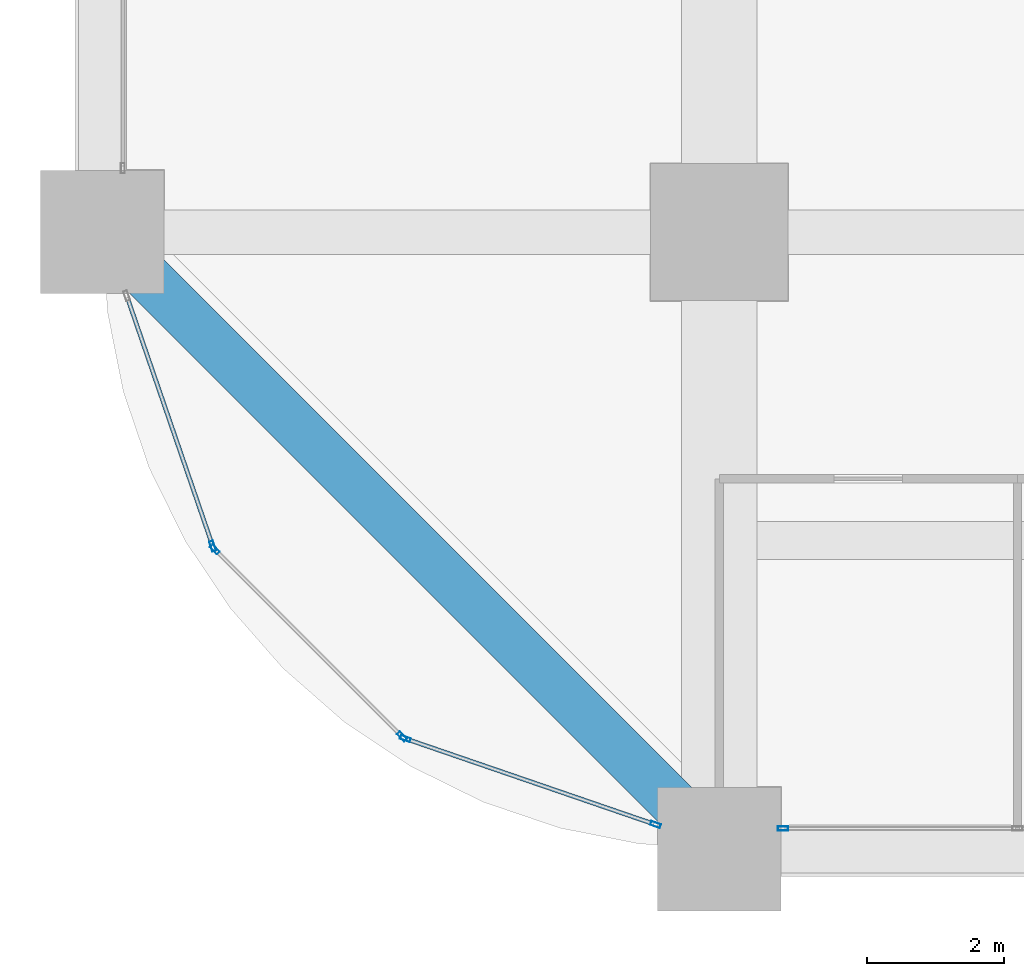
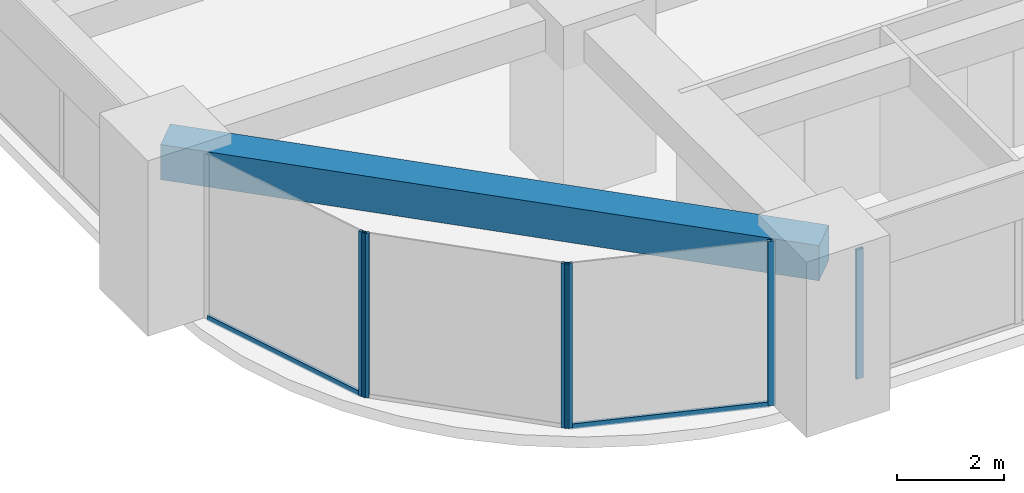
# One storey, part 2 of 41: 8 members, 1 beam, 4 elements without a shape of their own.
"""IFC4 building model written with IfcOpenShell, lengths in metres."""

from ifc_helpers import new_model, si_unit, direction, frame, origin, origin_2d, place, context, subcontext, project, spatial, rectangle, hollow_rectangle, extrude, material, material_profile, profile_set, type_object, element, aggregate, save


model = new_model("IFC4")

# Units and contexts
model_context = context("Model", 3, precision=1e-05, world=origin(), true_north=direction((0.0, 1.0)))
body_context = subcontext(model_context, "Body", "Model", "MODEL_VIEW")
ifc_project = project(units=[si_unit("LENGTHUNIT", "METRE"), si_unit("AREAUNIT", "SQUARE_METRE"), si_unit("VOLUMEUNIT", "CUBIC_METRE"), si_unit("PLANEANGLEUNIT", "RADIAN"), si_unit("MASSUNIT", "GRAM", prefix="KILO")], contexts=[model_context])

# Site, building, storey
site_placement = place(None, origin())
site = spatial("IfcSite", under=ifc_project, at=site_placement, CompositionType="ELEMENT")
building_placement = place(site_placement, origin())
building = spatial("IfcBuilding", under=site, at=building_placement, Name="Zorevar Civic Tower", CompositionType="ELEMENT")
storey_placement = place(building_placement, frame((0.0, 0.0, 101.0)))
storey = spatial("IfcBuildingStorey", under=building, at=storey_placement, Name="L24", CompositionType="ELEMENT", Elevation=101.0)

# Curtain wall, member
ifc_material_1 = material(Name="Dark grey solar-control glass in black aluminium frame", Category="aluminium")
curtain_wall_type = type_object("IfcCurtainWallType", Name="Curtain wall CW3 mid zone", PredefinedType="NOTDEFINED", material=ifc_material_1)
curtain_wall_1_placement = place(storey_placement, origin())
curtain_wall_1 = element("IfcCurtainWall", 1, at=curtain_wall_1_placement, inside=storey, type_object=curtain_wall_type, Name="CW3 L24", PredefinedType="NOTDEFINED")
ifc_material_2 = material(Name="Aluminium, black anodised", Category="aluminium")
ifc_material_profile_1 = material_profile(ifc_material_2, hollow_rectangle(XDim=0.06005859375, YDim=0.14990234375, WallThickness=0.00390625, at=origin_2d()), Name="AL 150x60x4")
ifc_profile_set_1 = profile_set([ifc_material_profile_1], Name="Aluminium, black anodised")
member_type_1 = type_object("IfcMemberType", Name="CW3 mullion AL 150x60x4", PredefinedType="MULLION", material=ifc_profile_set_1)
member_1_placement = place(storey_placement, frame((9.929931640625, 0.300048828125, 0.0), z_axis=(0.0, 0.0, 1.0), x_axis=(0.0, 1.0, 0.0)))
member_1 = element("IfcMember", 2, at=member_1_placement, type_object=member_type_1, Name="CW3 mullion 1", PredefinedType="MULLION", context=body_context, shape_type="SweptSolid", body=[
    extrude(hollow_rectangle(XDim=0.06005859375, YDim=0.14990234375, WallThickness=0.00390625, at=origin_2d()), origin(), (0.0, 0.0, 1.0), 2.949951171875),
])
aggregate(curtain_wall_1, [member_1])

curtain_wall_2_placement = place(storey_placement, origin())
curtain_wall_2 = element("IfcCurtainWall", 3, at=curtain_wall_2_placement, inside=storey, type_object=curtain_wall_type, Name="CW3 L24", PredefinedType="NOTDEFINED")
member_2_placement = place(storey_placement, frame((1.610595703125, 4.420654296875, 0.0), z_axis=(0.0, 0.0, 1.0), x_axis=(0.945755772794, 0.324878466857, 0.0)))
member_2 = element("IfcMember", 4, at=member_2_placement, type_object=member_type_1, Name="CW3 mullion 2", PredefinedType="MULLION", context=body_context, shape_type="SweptSolid", body=[
    extrude(hollow_rectangle(XDim=0.06005859375, YDim=0.14990234375, WallThickness=0.00390625, at=origin_2d()), origin(), (0.0, 0.0, 1.0), 3.75),
])

# Curtain wall, members
curtain_wall_3_placement = place(storey_placement, origin())
curtain_wall_3 = element("IfcCurtainWall", 5, at=curtain_wall_3_placement, inside=storey, type_object=curtain_wall_type, Name="CW3 L24", PredefinedType="NOTDEFINED")
member_3_placement = place(storey_placement, frame((1.6416015625, 4.37109375, 0.0), z_axis=(0.0, 0.0, 1.0), x_axis=(0.707106781187, 0.707106781187, 0.0)))
member_3 = element("IfcMember", 6, at=member_3_placement, type_object=member_type_1, Name="CW3 mullion 1", PredefinedType="MULLION", context=body_context, shape_type="SweptSolid", body=[
    extrude(hollow_rectangle(XDim=0.06005859375, YDim=0.14990234375, WallThickness=0.00390625, at=origin_2d()), origin(), (0.0, 0.0, 1.0), 3.75),
])
member_4_placement = place(storey_placement, frame((4.37109375, 1.6416015625, 0.0), z_axis=(0.0, 0.0, 1.0), x_axis=(0.707106781187, 0.707106781187, 0.0)))
member_4 = element("IfcMember", 7, at=member_4_placement, type_object=member_type_1, Name="CW3 mullion 2", PredefinedType="MULLION", context=body_context, shape_type="SweptSolid", body=[
    extrude(hollow_rectangle(XDim=0.06005859375, YDim=0.14990234375, WallThickness=0.00390625, at=origin_2d()), origin(), (0.0, 0.0, 1.0), 3.75),
])
aggregate(curtain_wall_3, [member_3, member_4])

curtain_wall_4_placement = place(storey_placement, origin())
curtain_wall_4 = element("IfcCurtainWall", 8, at=curtain_wall_4_placement, inside=storey, type_object=curtain_wall_type, Name="CW3 L24", PredefinedType="NOTDEFINED")
member_5_placement = place(storey_placement, frame((4.420654296875, 1.610595703125, 0.0), z_axis=(0.0, 0.0, 1.0), x_axis=(0.324878466857, 0.945755772794, 0.0)))
member_5 = element("IfcMember", 9, at=member_5_placement, type_object=member_type_1, Name="CW3 mullion 1", PredefinedType="MULLION", context=body_context, shape_type="SweptSolid", body=[
    extrude(hollow_rectangle(XDim=0.06005859375, YDim=0.14990234375, WallThickness=0.00390625, at=origin_2d()), origin(), (0.0, 0.0, 1.0), 3.75),
])
member_6_placement = place(storey_placement, frame((8.071533203125, 0.3564453125, 0.0), z_axis=(0.0, 0.0, 1.0), x_axis=(0.324878466857, 0.945755772794, 0.0)))
member_6 = element("IfcMember", 10, at=member_6_placement, type_object=member_type_1, Name="CW3 mullion 2", PredefinedType="MULLION", context=body_context, shape_type="SweptSolid", body=[
    extrude(hollow_rectangle(XDim=0.06005859375, YDim=0.14990234375, WallThickness=0.00390625, at=origin_2d()), origin(), (0.0, 0.0, 1.0), 3.75),
])

# Member
ifc_material_3 = material(Name="Aluminium, black anodised", Category="aluminium")
ifc_material_profile_2 = material_profile(ifc_material_3, hollow_rectangle(XDim=0.06005859375, YDim=0.1201171875, WallThickness=0.0029296875, at=origin_2d()), Name="AL 120x60x3")
ifc_profile_set_2 = profile_set([ifc_material_profile_2], Name="Aluminium, black anodised")
member_type_2 = type_object("IfcMemberType", Name="CW3 transom AL 120x60x3", PredefinedType="USERDEFINED", material=ifc_profile_set_2)
member_7_placement = place(storey_placement, frame((0.3662109375, 8.043212890625, 0.030029296875), z_axis=(0.324887643602, -0.945752620422, 0.0), x_axis=(0.945752620422, 0.324887643602, 0.0)))
member_7 = element("IfcMember", 11, at=member_7_placement, type_object=member_type_2, Name="CW3 sill transom", ObjectType="TRANSOM", PredefinedType="USERDEFINED", context=body_context, shape_type="SweptSolid", body=[
    extrude(hollow_rectangle(XDim=0.06005859375, YDim=0.1201171875, WallThickness=0.0029296875, at=origin_2d()), origin(), (0.0, 0.0, 1.0), 3.800048828125),
])

aggregate(curtain_wall_2, [member_2, member_7])

member_8_placement = place(storey_placement, frame((4.44921875, 1.600830078125, 0.030029296875), z_axis=(0.945752620422, -0.324887643602, 0.0), x_axis=(0.324887643602, 0.945752620422, 0.0)))
member_8 = element("IfcMember", 12, at=member_8_placement, type_object=member_type_2, Name="CW3 sill transom", ObjectType="TRANSOM", PredefinedType="USERDEFINED", context=body_context, shape_type="SweptSolid", body=[
    extrude(hollow_rectangle(XDim=0.06005859375, YDim=0.1201171875, WallThickness=0.0029296875, at=origin_2d()), origin(), (0.0, 0.0, 1.0), 3.800048828125),
])

aggregate(curtain_wall_4, [member_5, member_6, member_8])

# Beam
ifc_material_4 = material(Name="Concrete C50/60", Category="concrete")
ifc_material_profile_3 = material_profile(ifc_material_4, rectangle(XDim=0.699951171875, YDim=0.800048828125, at=origin_2d()), Name="RC 700x800")
ifc_profile_set_3 = profile_set([ifc_material_profile_3], Name="Concrete C50/60")
beam_type = type_object("IfcBeamType", Name="Edge beam RC 700x800", PredefinedType="SPANDREL", material=ifc_profile_set_3)
beam_placement = place(storey_placement, frame((0.0, 9.0, 3.35009765625), z_axis=(0.707106781187, -0.707106781187, 0.0), x_axis=(0.707106781187, 0.707106781187, 0.0)))
element("IfcBeam", 13, at=beam_placement, inside=storey, type_object=beam_type, Name="Corner edge beam L25", PredefinedType="SPANDREL", context=body_context, shape_type="SweptSolid", body=[
    extrude(rectangle(XDim=0.699951171875, YDim=0.800048828125, at=origin_2d()), origin(), (0.0, 0.0, 1.0), 12.72802734375),
])

save(model, "model.ifc")
